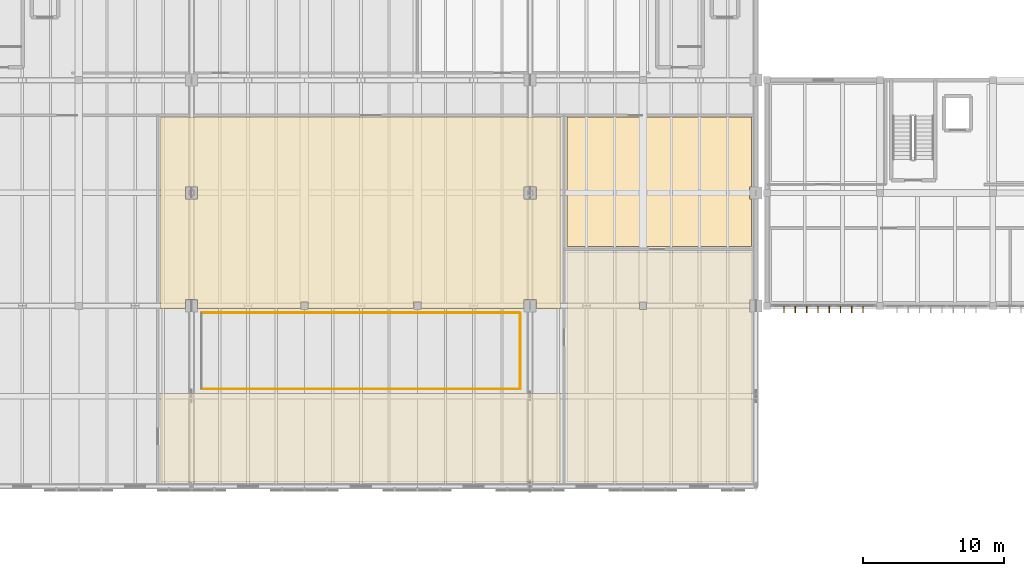
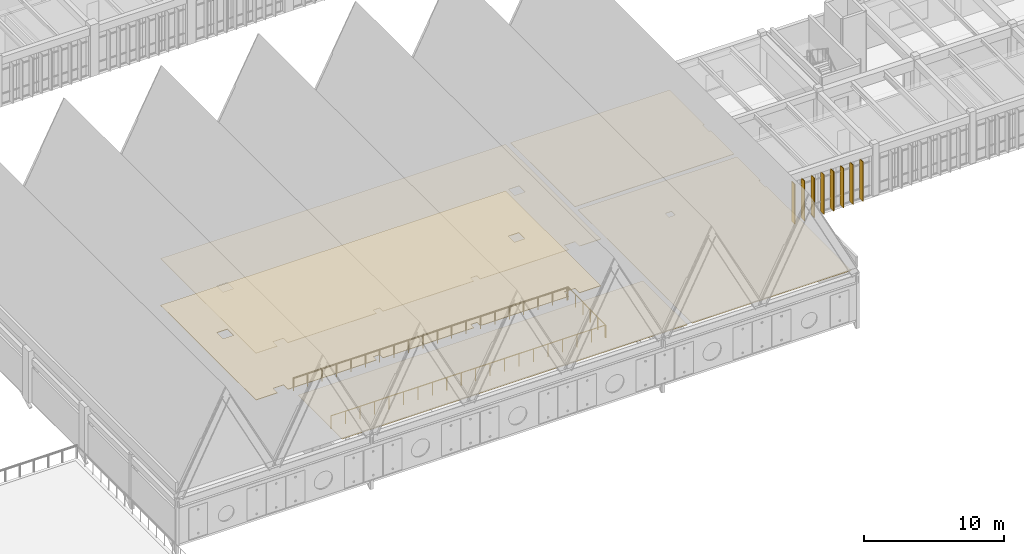
# One storey, part 63 of 72: 8 shading devices, 5 coverings, 3 railings.
"""IFC4 building model written with IfcOpenShell, lengths in metres."""

import ifcopenshell
import ifcopenshell.guid

model = None  # the IFC model being written
_history = None  # IfcOwnerHistory: only IFC2X3 demands one
_inside = {}  # id of a spatial element -> (the spatial element, [elements in it])
_under = {}  # id of a project, library or spatial element -> (it, [spatial elements below it])
_declared = {}  # id of a project -> (the project, [libraries it declares])
_typed = {}  # id of a type object -> (the type object, [elements of that type])
_made_of = {}  # id of a material, layer set ... -> (it, [elements and type objects made of it])


def new_model(schema):
    """Start an empty IFC model of exactly this schema.

    Asked for "IFC4X3", IfcOpenShell would pick the latest addendum, in which some entities
    have other attributes; the version numbers below select the first issue.
    IFC2X3 requires an IfcOwnerHistory on every rooted entity: one is made here for all.
    """
    global model, _history
    if schema == "IFC4X3":
        model = ifcopenshell.file(schema_version=(4, 3, 0, 0))
    else:
        model = ifcopenshell.file(schema=schema)
    _inside.clear()
    _under.clear()
    _declared.clear()
    _typed.clear()
    _made_of.clear()
    _history = None
    if model.schema == "IFC2X3":
        org = make("IfcOrganization", Name="unknown")
        user = make(
            "IfcPersonAndOrganization",
            ThePerson=make("IfcPerson", FamilyName="unknown"),
            TheOrganization=org,
        )
        app = make(
            "IfcApplication",
            ApplicationDeveloper=org,
            Version="unknown",
            ApplicationFullName="unknown",
            ApplicationIdentifier="unknown",
        )
        _history = make(
            "IfcOwnerHistory",
            OwningUser=user,
            OwningApplication=app,
            ChangeAction="ADDED",
            CreationDate=0,
        )
    return model


def make(cls, **values):
    """One entity of the class cls with the attributes given. An attribute that is None is left unset."""
    return model.create_entity(
        cls, **{name: value for name, value in values.items() if value is not None}
    )


def rooted(cls, **values):
    """An entity with a GlobalId (a new one), such as an element, a storey or a relation."""
    return make(cls, GlobalId=ifcopenshell.guid.new(), OwnerHistory=_history, **values)


def si_unit(unit_type, name, prefix=None):
    """IfcSIUnit, for example si_unit("LENGTHUNIT", "METRE", prefix="MILLI")."""
    return make("IfcSIUnit", UnitType=unit_type, Prefix=prefix, Name=name)


def assignment(units):
    """IfcUnitAssignment: the units of a project."""
    return None if units is None else make("IfcUnitAssignment", Units=units)


def point(xyz):
    """IfcCartesianPoint."""
    return None if xyz is None else make("IfcCartesianPoint", Coordinates=xyz)


def direction(xyz):
    """IfcDirection."""
    return None if xyz is None else make("IfcDirection", DirectionRatios=xyz)


def frame(location, z_axis=None, x_axis=None):
    """IfcAxis2Placement3D, a coordinate frame: its origin and axes. An axis left out is left unset."""
    return make(
        "IfcAxis2Placement3D",
        Location=point(location),
        Axis=direction(z_axis),
        RefDirection=direction(x_axis),
    )


def frame_2d(location, x_axis=None):
    """IfcAxis2Placement2D, a coordinate frame in the plane: its origin and x axis."""
    return make(
        "IfcAxis2Placement2D", Location=point(location), RefDirection=direction(x_axis)
    )


def origin():
    """The frame at (0, 0, 0) with its axes left unset."""
    return frame((0.0, 0.0, 0.0))


def origin_2d():
    """The frame at (0, 0) in the plane with its x axis left unset."""
    return frame_2d((0.0, 0.0))


def place(relative_to, where):
    """IfcLocalPlacement: puts the frame where relative to a parent placement (None: the world)."""
    return make(
        "IfcLocalPlacement", PlacementRelTo=relative_to, RelativePlacement=where
    )


def context(
    kind, dimensions, precision=None, world=None, true_north=None, identifier=None
):
    """IfcGeometricRepresentationContext, for example the 3D "Model" context."""
    return make(
        "IfcGeometricRepresentationContext",
        ContextIdentifier=identifier,
        ContextType=kind,
        CoordinateSpaceDimension=dimensions,
        Precision=precision,
        WorldCoordinateSystem=world,
        TrueNorth=true_north,
    )


def subcontext(parent, identifier, kind, view, scale=None):
    """IfcGeometricRepresentationSubContext, for example "Body" below "Model"."""
    return make(
        "IfcGeometricRepresentationSubContext",
        ContextIdentifier=identifier,
        ContextType=kind,
        ParentContext=parent,
        TargetScale=scale,
        TargetView=view,
    )


def project(units=None, contexts=None):
    """IfcProject with its units and contexts."""
    return rooted(
        "IfcProject",
        Name="project",
        RepresentationContexts=contexts,
        UnitsInContext=assignment(units),
    )


def spatial(cls, under=None, at=None, **own):
    """A site, building, storey or space (cls), placed at a placement, below another one or the project."""
    s = rooted(cls, ObjectPlacement=at, **own)
    if under is not None:
        _under.setdefault(under.id(), (under, []))[1].append(s)
    return s


def polyline(points):
    """IfcPolyline through the points."""
    return make("IfcPolyline", Points=[point(p) for p in points])


def profile(cls, at=None, kind="AREA", **sizes):
    """A parametric profile (cls). Its sizes go by their IFC names, for example OverallWidth=200.0."""
    return make(cls, ProfileType=kind, Position=at, **sizes)


def rectangle(**sizes):
    """IfcRectangleProfileDef."""
    return profile("IfcRectangleProfileDef", **sizes)


def circle(**sizes):
    """IfcCircleProfileDef."""
    return profile("IfcCircleProfileDef", **sizes)


def outline(outer, holes=None, kind="AREA"):
    """IfcArbitraryClosedProfileDef: a profile drawn as a closed curve; with holes, ...WithVoids."""
    if holes is None:
        return make("IfcArbitraryClosedProfileDef", ProfileType=kind, OuterCurve=outer)
    return make(
        "IfcArbitraryProfileDefWithVoids",
        ProfileType=kind,
        OuterCurve=outer,
        InnerCurves=holes,
    )


def extrude(swept, where, along, depth):
    """IfcExtrudedAreaSolid: the profile swept, set in the frame where, extruded along a direction by depth."""
    return make(
        "IfcExtrudedAreaSolid",
        SweptArea=swept,
        Position=where,
        ExtrudedDirection=direction(along),
        Depth=depth,
    )


def shape(context_of_items, identifier, shape_type, items):
    """IfcShapeRepresentation: the items that make up one representation, for example the "Body"."""
    return make(
        "IfcShapeRepresentation",
        ContextOfItems=context_of_items,
        RepresentationIdentifier=identifier,
        RepresentationType=shape_type,
        Items=items,
    )


def material(Name=None, Category=None):
    """IfcMaterial."""
    return make("IfcMaterial", Name=Name, Category=Category)


def layer(
    of_material, thickness, ventilated=None, Name=None, Category=None, Priority=None
):
    """IfcMaterialLayer: one layer of a wall or slab, of a material (None: an air gap)."""
    return make(
        "IfcMaterialLayer",
        Material=of_material,
        LayerThickness=thickness,
        IsVentilated=ventilated,
        Name=Name,
        Category=Category,
        Priority=Priority,
    )


def layer_set(layers, Name=None):
    """IfcMaterialLayerSet."""
    return make("IfcMaterialLayerSet", MaterialLayers=layers, LayerSetName=Name)


def made_of(thing, what):
    """Note that an element or type object is made of a material, layer set ...; save() writes the relation."""
    if what is not None:
        _made_of.setdefault(what.id(), (what, []))[1].append(thing)
    return thing


def type_object(cls, material=None, **own):
    """A type object (cls), such as IfcWallType, which elements share."""
    return made_of(rooted(cls, **own), material)


def element(
    cls,
    number,
    at=None,
    inside=None,
    cuts=None,
    type_object=None,
    material=None,
    context=None,
    identifier="Body",
    shape_type=None,
    held_by="IfcProductDefinitionShape",
    body=None,
    shapes=None,
    **own,
):
    """One element of the class cls, such as IfcWall. Its Tag is "e" and its number.

    at: its placement. inside: the storey or other place that contains it. cuts: it is an
    opening in that element (IfcRelVoidsElement). A single representation is given by context,
    identifier, shape_type and body (its items); several are given by shapes. held_by: the class
    of the entity that holds the representations. save() writes the other relations.
    """
    e = rooted(cls, Tag="e%d" % number, ObjectPlacement=at, **own)
    if body is not None:
        shapes = [shape(context, identifier, shape_type, body)]
    if shapes is not None:
        e.Representation = make(held_by, Representations=shapes)
    if inside is not None:
        _inside.setdefault(inside.id(), (inside, []))[1].append(e)
    if cuts is not None:
        rooted(
            "IfcRelVoidsElement", RelatingBuildingElement=cuts, RelatedOpeningElement=e
        )
    if type_object is not None:
        _typed.setdefault(type_object.id(), (type_object, []))[1].append(e)
    return made_of(e, material)


def aggregate(whole, parts):
    """IfcRelAggregates: a whole, such as a stair, and the parts it consists of."""
    return rooted("IfcRelAggregates", RelatingObject=whole, RelatedObjects=parts)


def save(model, path):
    """Write the relations noted so far, then the file.

    IfcRelAggregates (storeys below a building ...), IfcRelContainedInSpatialStructure (elements
    in a storey), IfcRelDefinesByType, IfcRelAssociatesMaterial and IfcRelDeclares: one each for
    every whole, place, type object, material and project.
    """
    for whole, parts in _under.values():
        aggregate(whole, parts)
    for where, things in _inside.values():
        rooted(
            "IfcRelContainedInSpatialStructure",
            RelatedElements=things,
            RelatingStructure=where,
        )
    for kind, things in _typed.values():
        rooted("IfcRelDefinesByType", RelatedObjects=things, RelatingType=kind)
    for what, things in _made_of.values():
        rooted("IfcRelAssociatesMaterial", RelatedObjects=things, RelatingMaterial=what)
    for by, libraries in _declared.values():
        rooted("IfcRelDeclares", RelatingContext=by, RelatedDefinitions=libraries)
    model.write(path)


model = new_model("IFC4")

# Units and contexts
model_context = context("Model", 3, precision=1e-05, world=origin(), true_north=direction((0.0, 1.0)))
body_context = subcontext(model_context, "Body", "Model", "MODEL_VIEW")
ifc_project = project(units=[si_unit("LENGTHUNIT", "METRE"), si_unit("AREAUNIT", "SQUARE_METRE"), si_unit("VOLUMEUNIT", "CUBIC_METRE"), si_unit("PLANEANGLEUNIT", "RADIAN"), si_unit("MASSUNIT", "GRAM", prefix="KILO")], contexts=[model_context])

# Site, building, storey
site_placement = place(None, origin())
site = spatial("IfcSite", under=ifc_project, at=site_placement, CompositionType="ELEMENT")
building_placement = place(site_placement, origin())
building = spatial("IfcBuilding", under=site, at=building_placement, Name="Tlaxcora Railside Police Headquarters", CompositionType="ELEMENT")
storey_placement = place(building_placement, frame((0.0, 0.0, 13.5)))
storey = spatial("IfcBuildingStorey", under=building, at=storey_placement, Name="L03", CompositionType="ELEMENT", Elevation=13.5)

# Coverings
ifc_material_1 = material(Name="Mineral-fibre acoustic ceiling tile")
ifc_layer_1 = layer(ifc_material_1, 0.034912109375, Name="Mineral-fibre acoustic ceiling tile")
ifc_layer_set_1 = layer_set([ifc_layer_1], Name="Mineral-fibre acoustic ceiling tile")
covering_type_1 = type_object("IfcCoveringType", Name="Acoustic Suspended Ceiling CLG-01", PredefinedType="CEILING", material=ifc_layer_set_1)
covering_1_placement = place(storey_placement, frame((0.0, 0.0, 4.06494140625)))
element("IfcCovering", 1, at=covering_1_placement, inside=storey, type_object=covering_type_1, Name="Situational Awareness Viewing Gallery suspended ceiling", PredefinedType="CEILING", context=body_context, shape_type="SweptSolid", body=[
    extrude(outline(polyline([(69.739990234375, 36.260009765625), (70.260009765625, 36.260009765625), (70.260009765625, 35.800048828125), (77.739990234375, 35.800048828125), (77.739990234375, 36.260009765625), (78.260009765625, 36.260009765625), (78.260009765625, 35.800048828125), (85.56494140625, 35.800048828125), (85.56494140625, 36.43505859375), (86.43505859375, 36.43505859375), (86.43505859375, 35.800048828125), (88.199951171875, 35.800048828125), (88.199951171875, 49.39990234375), (59.800048828125, 49.39990234375), (59.800048828125, 35.800048828125), (61.56494140625, 35.800048828125), (61.56494140625, 36.43505859375), (62.43505859375, 36.43505859375), (62.43505859375, 35.800048828125), (69.739990234375, 35.800048828125), (69.739990234375, 36.260009765625)]), holes=[polyline([(62.43505859375, 43.56494140625), (61.56494140625, 43.56494140625), (61.56494140625, 44.43505859375), (62.43505859375, 44.43505859375), (62.43505859375, 43.56494140625)]), polyline([(86.43505859375, 43.56494140625), (85.56494140625, 43.56494140625), (85.56494140625, 44.43505859375), (86.43505859375, 44.43505859375), (86.43505859375, 43.56494140625)])]), origin(), (0.0, 0.0, 1.0), 0.03515625),
])
covering_2_placement = place(storey_placement, frame((0.0, 0.0, 4.06494140625)))
element("IfcCovering", 2, at=covering_2_placement, inside=storey, type_object=covering_type_1, Name="Civil Protection Inter-Agency Liaison Room suspended ceiling", PredefinedType="CEILING", context=body_context, shape_type="SweptSolid", body=[
    extrude(outline(polyline([(59.800048828125, 23.5), (88.199951171875, 23.5), (88.199951171875, 29.800048828125), (59.800048828125, 29.800048828125), (59.800048828125, 23.5)])), origin(), (0.0, 0.0, 1.0), 0.03515625),
])
covering_3_placement = place(storey_placement, frame((0.0, 0.0, 4.06494140625)))
element("IfcCovering", 3, at=covering_3_placement, inside=storey, type_object=covering_type_1, Name="Drone Overwatch and Aerial Telemetry Room suspended ceiling", PredefinedType="CEILING", context=body_context, shape_type="SweptSolid", body=[
    extrude(outline(polyline([(101.699951171875, 39.800048828125), (88.60009765625, 39.800048828125), (88.60009765625, 23.5), (101.699951171875, 23.5), (101.699951171875, 35.56494140625), (101.56494140625, 35.56494140625), (101.56494140625, 36.43505859375), (101.699951171875, 36.43505859375), (101.699951171875, 39.800048828125)]), holes=[polyline([(94.260009765625, 36.260009765625), (94.260009765625, 35.739990234375), (93.739990234375, 35.739990234375), (93.739990234375, 36.260009765625), (94.260009765625, 36.260009765625)])]), origin(), (0.0, 0.0, 1.0), 0.03515625),
])
covering_4_placement = place(storey_placement, frame((0.0, 0.0, 4.06494140625)))
element("IfcCovering", 4, at=covering_4_placement, inside=storey, type_object=covering_type_1, Name="Accessible WC and Duty Rest Suite L03 suspended ceiling", PredefinedType="CEILING", context=body_context, shape_type="SweptSolid", body=[
    extrude(outline(polyline([(88.60009765625, 49.39990234375), (88.60009765625, 40.199951171875), (101.699951171875, 40.199951171875), (101.699951171875, 43.56494140625), (101.56494140625, 43.56494140625), (101.56494140625, 44.43505859375), (101.699951171875, 44.43505859375), (101.699951171875, 49.39990234375), (88.60009765625, 49.39990234375)])), origin(), (0.0, 0.0, 1.0), 0.03515625),
])

# Shading devices
ifc_material_2 = material(Name="Anodised aluminium framing", Category="aluminium")
ifc_layer_2 = layer(ifc_material_2, 0.054931640625, Name="Anodised aluminium framing")
ifc_layer_set_2 = layer_set([ifc_layer_2], Name="Anodised aluminium framing")
shading_device_type = type_object("IfcShadingDeviceType", Name="Solar Control Fin SF-01", PredefinedType="JALOUSIE", material=ifc_layer_set_2)
for number, where, z_axis, x_axis, name in (
    (5, (104.0, 35.739990234375, 0.0400390625), (0.0, 0.0, 1.0), (0.0, -1.0, 0.0), "Vertical solar fin 1024"),
    (6, (104.800048828125, 35.739990234375, 0.0400390625), (0.0, 0.0, 1.0), (0.0, -1.0, 0.0), "Vertical solar fin 1025"),
    (7, (105.60009765625, 35.739990234375, 0.0400390625), (0.0, 0.0, 1.0), (0.0, -1.0, 0.0), "Vertical solar fin 1026"),
    (8, (106.39990234375, 35.739990234375, 0.0400390625), (0.0, 0.0, 1.0), (0.0, -1.0, 0.0), "Vertical solar fin 1027"),
    (9, (107.199951171875, 35.739990234375, 0.0400390625), (0.0, 0.0, 1.0), (0.0, -1.0, 0.0), "Vertical solar fin 1028"),
    (10, (108.0, 35.739990234375, 0.0400390625), (0.0, 0.0, 1.0), (0.0, -1.0, 0.0), "Vertical solar fin 1029"),
    (11, (108.800048828125, 35.739990234375, 0.0400390625), (0.0, 0.0, 1.0), (0.0, -1.0, 0.0), "Vertical solar fin 1030"),
    (12, (109.60009765625, 35.739990234375, 0.0400390625), (0.0, 0.0, 1.0), (0.0, -1.0, 0.0), "Vertical solar fin 1031"),
):
    element("IfcShadingDevice", number, at=place(storey_placement, frame(where, z_axis=z_axis, x_axis=x_axis)), inside=storey, type_object=shading_device_type, Name=name, PredefinedType="JALOUSIE", context=body_context, shape_type="SweptSolid", body=[
        extrude(rectangle(XDim=0.47998046875, YDim=0.054931640625, at=origin_2d()), origin(), (0.0, 0.0, 1.0), 3.4599609375),
    ])

# Covering
ifc_material_3 = material(Name="Heavy-duty resin and raised-access technical flooring")
ifc_layer_3 = layer(ifc_material_3, 0.0400390625, Name="Heavy-duty resin and raised-access technical flooring")
ifc_layer_set_3 = layer_set([ifc_layer_3], Name="Heavy-duty resin and raised-access technical flooring")
covering_type_2 = type_object("IfcCoveringType", Name="Technical Raised Access Flooring FLR-01", PredefinedType="FLOORING", material=ifc_layer_set_3)
covering_5_placement = place(storey_placement, origin())
element("IfcCovering", 13, at=covering_5_placement, inside=storey, type_object=covering_type_2, Name="Situational Awareness Viewing Gallery technical floor finish", PredefinedType="FLOORING", context=body_context, shape_type="SweptSolid", body=[
    extrude(outline(polyline([(69.739990234375, 36.260009765625), (70.260009765625, 36.260009765625), (70.260009765625, 35.800048828125), (77.739990234375, 35.800048828125), (77.739990234375, 36.260009765625), (78.260009765625, 36.260009765625), (78.260009765625, 35.800048828125), (85.56494140625, 35.800048828125), (85.56494140625, 36.43505859375), (86.43505859375, 36.43505859375), (86.43505859375, 35.800048828125), (88.199951171875, 35.800048828125), (88.199951171875, 49.39990234375), (59.800048828125, 49.39990234375), (59.800048828125, 35.800048828125), (61.56494140625, 35.800048828125), (61.56494140625, 36.43505859375), (62.43505859375, 36.43505859375), (62.43505859375, 35.800048828125), (69.739990234375, 35.800048828125), (69.739990234375, 36.260009765625)]), holes=[polyline([(62.43505859375, 43.56494140625), (61.56494140625, 43.56494140625), (61.56494140625, 44.43505859375), (62.43505859375, 44.43505859375), (62.43505859375, 43.56494140625)]), polyline([(86.43505859375, 43.56494140625), (85.56494140625, 43.56494140625), (85.56494140625, 44.43505859375), (86.43505859375, 44.43505859375), (86.43505859375, 43.56494140625)])]), origin(), (0.0, 0.0, 1.0), 0.0400390625),
])

# Railings
ifc_material_4 = material(Name="Steel ASTM A992 Grade 50", Category="steel")
railing_type = type_object("IfcRailingType", Name="Terrace Perimeter Guard Balustrade GR-01", PredefinedType="BALUSTRADE", material=ifc_material_4)
railing_1_placement = place(storey_placement, frame((62.699951171875, 30.10009765625, 0.0)))
element("IfcRailing", 14, at=railing_1_placement, inside=storey, type_object=railing_type, Name="Atrium and well guard L03-05", PredefinedType="BALUSTRADE", context=body_context, shape_type="SweptSolid", body=[
    extrude(circle(Radius=0.02392578125, at=origin_2d()), frame((0.0, 0.0, 1.09619140625), z_axis=(1.0, 0.0, 0.0), x_axis=(0.0, 1.0, 0.0)), (0.0, 0.0, 1.0), 22.60009765625),
    extrude(circle(Radius=0.02099609375, at=origin_2d()), origin(), (0.0, 0.0, 1.0), 1.072021484375),
    extrude(circle(Radius=0.02099609375, at=origin_2d()), frame((1.189453125, 0.0, 0.0)), (0.0, 0.0, 1.0), 1.072021484375),
    extrude(circle(Radius=0.02099609375, at=origin_2d()), frame((2.37890625, 0.0, 0.0)), (0.0, 0.0, 1.0), 1.072021484375),
    extrude(circle(Radius=0.02099609375, at=origin_2d()), frame((3.568359375, 0.0, 0.0)), (0.0, 0.0, 1.0), 1.072021484375),
    extrude(circle(Radius=0.02099609375, at=origin_2d()), frame((4.7578125, 0.0, 0.0)), (0.0, 0.0, 1.0), 1.072021484375),
    extrude(circle(Radius=0.02099609375, at=origin_2d()), frame((5.947509765625, 0.0, 0.0)), (0.0, 0.0, 1.0), 1.072021484375),
    extrude(circle(Radius=0.02099609375, at=origin_2d()), frame((7.136962890625, 0.0, 0.0)), (0.0, 0.0, 1.0), 1.072021484375),
    extrude(circle(Radius=0.02099609375, at=origin_2d()), frame((8.326416015625, 0.0, 0.0)), (0.0, 0.0, 1.0), 1.072021484375),
    extrude(circle(Radius=0.02099609375, at=origin_2d()), frame((9.515869140625, 0.0, 0.0)), (0.0, 0.0, 1.0), 1.072021484375),
    extrude(circle(Radius=0.02099609375, at=origin_2d()), frame((10.705322265625, 0.0, 0.0)), (0.0, 0.0, 1.0), 1.072021484375),
    extrude(circle(Radius=0.02099609375, at=origin_2d()), frame((11.894775390625, 0.0, 0.0)), (0.0, 0.0, 1.0), 1.072021484375),
    extrude(circle(Radius=0.02099609375, at=origin_2d()), frame((13.084228515625, 0.0, 0.0)), (0.0, 0.0, 1.0), 1.072021484375),
    extrude(circle(Radius=0.02099609375, at=origin_2d()), frame((14.273681640625, 0.0, 0.0)), (0.0, 0.0, 1.0), 1.072021484375),
    extrude(circle(Radius=0.02099609375, at=origin_2d()), frame((15.463134765625, 0.0, 0.0)), (0.0, 0.0, 1.0), 1.072021484375),
    extrude(circle(Radius=0.02099609375, at=origin_2d()), frame((16.652587890625, 0.0, 0.0)), (0.0, 0.0, 1.0), 1.072021484375),
    extrude(circle(Radius=0.02099609375, at=origin_2d()), frame((17.84228515625, 0.0, 0.0)), (0.0, 0.0, 1.0), 1.072021484375),
    extrude(circle(Radius=0.02099609375, at=origin_2d()), frame((19.03173828125, 0.0, 0.0)), (0.0, 0.0, 1.0), 1.072021484375),
    extrude(circle(Radius=0.02099609375, at=origin_2d()), frame((20.22119140625, 0.0, 0.0)), (0.0, 0.0, 1.0), 1.072021484375),
    extrude(circle(Radius=0.02099609375, at=origin_2d()), frame((21.41064453125, 0.0, 0.0)), (0.0, 0.0, 1.0), 1.072021484375),
    extrude(circle(Radius=0.02099609375, at=origin_2d()), frame((22.60009765625, 0.0, 0.0)), (0.0, 0.0, 1.0), 1.072021484375),
])
railing_2_placement = place(storey_placement, frame((85.300048828125, 30.179931640625, 0.0)))
element("IfcRailing", 15, at=railing_2_placement, inside=storey, type_object=railing_type, Name="Atrium and well guard L03-06", PredefinedType="BALUSTRADE", context=body_context, shape_type="SweptSolid", body=[
    extrude(circle(Radius=0.02392578125, at=origin_2d()), frame((0.0, 0.0, 1.09619140625), z_axis=(0.0, 1.0, 0.0), x_axis=(-1.0, 0.0, 0.0)), (0.0, 0.0, 1.0), 5.320068359375),
    extrude(circle(Radius=0.02099609375, at=origin_2d()), origin(), (0.0, 0.0, 1.0), 1.072021484375),
    extrude(circle(Radius=0.02099609375, at=origin_2d()), frame((0.0, 1.06396484375, 0.0)), (0.0, 0.0, 1.0), 1.072021484375),
    extrude(circle(Radius=0.02099609375, at=origin_2d()), frame((0.0, 2.1279296875, 0.0)), (0.0, 0.0, 1.0), 1.072021484375),
    extrude(circle(Radius=0.02099609375, at=origin_2d()), frame((0.0, 3.192138671875, 0.0)), (0.0, 0.0, 1.0), 1.072021484375),
    extrude(circle(Radius=0.02099609375, at=origin_2d()), frame((0.0, 4.256103515625, 0.0)), (0.0, 0.0, 1.0), 1.072021484375),
    extrude(circle(Radius=0.02099609375, at=origin_2d()), frame((0.0, 5.320068359375, 0.0)), (0.0, 0.0, 1.0), 1.072021484375),
])
railing_3_placement = place(storey_placement, frame((85.219970703125, 35.5, 0.0)))
element("IfcRailing", 16, at=railing_3_placement, inside=storey, type_object=railing_type, Name="Atrium and well guard L03-07", PredefinedType="BALUSTRADE", context=body_context, shape_type="SweptSolid", body=[
    extrude(circle(Radius=0.02392578125, at=origin_2d()), frame((0.0, 0.0, 1.09619140625), z_axis=(-1.0, 0.0, 0.0), x_axis=(0.0, -1.0, 0.0)), (0.0, 0.0, 1.0), 22.52001953125),
    extrude(circle(Radius=0.02099609375, at=origin_2d()), origin(), (0.0, 0.0, 1.0), 1.072021484375),
    extrude(circle(Radius=0.02099609375, at=origin_2d()), frame((-1.185302734375, 0.0, 0.0)), (0.0, 0.0, 1.0), 1.072021484375),
    extrude(circle(Radius=0.02099609375, at=origin_2d()), frame((-2.37060546875, 0.0, 0.0)), (0.0, 0.0, 1.0), 1.072021484375),
    extrude(circle(Radius=0.02099609375, at=origin_2d()), frame((-3.555908203125, 0.0, 0.0)), (0.0, 0.0, 1.0), 1.072021484375),
    extrude(circle(Radius=0.02099609375, at=origin_2d()), frame((-4.740966796875, 0.0, 0.0)), (0.0, 0.0, 1.0), 1.072021484375),
    extrude(circle(Radius=0.02099609375, at=origin_2d()), frame((-5.92626953125, 0.0, 0.0)), (0.0, 0.0, 1.0), 1.072021484375),
    extrude(circle(Radius=0.02099609375, at=origin_2d()), frame((-7.111572265625, 0.0, 0.0)), (0.0, 0.0, 1.0), 1.072021484375),
    extrude(circle(Radius=0.02099609375, at=origin_2d()), frame((-8.296875, 0.0, 0.0)), (0.0, 0.0, 1.0), 1.072021484375),
    extrude(circle(Radius=0.02099609375, at=origin_2d()), frame((-9.482177734375, 0.0, 0.0)), (0.0, 0.0, 1.0), 1.072021484375),
    extrude(circle(Radius=0.02099609375, at=origin_2d()), frame((-10.66748046875, 0.0, 0.0)), (0.0, 0.0, 1.0), 1.072021484375),
    extrude(circle(Radius=0.02099609375, at=origin_2d()), frame((-11.8525390625, 0.0, 0.0)), (0.0, 0.0, 1.0), 1.072021484375),
    extrude(circle(Radius=0.02099609375, at=origin_2d()), frame((-13.037841796875, 0.0, 0.0)), (0.0, 0.0, 1.0), 1.072021484375),
    extrude(circle(Radius=0.02099609375, at=origin_2d()), frame((-14.22314453125, 0.0, 0.0)), (0.0, 0.0, 1.0), 1.072021484375),
    extrude(circle(Radius=0.02099609375, at=origin_2d()), frame((-15.408447265625, 0.0, 0.0)), (0.0, 0.0, 1.0), 1.072021484375),
    extrude(circle(Radius=0.02099609375, at=origin_2d()), frame((-16.59375, 0.0, 0.0)), (0.0, 0.0, 1.0), 1.072021484375),
    extrude(circle(Radius=0.02099609375, at=origin_2d()), frame((-17.779052734375, 0.0, 0.0)), (0.0, 0.0, 1.0), 1.072021484375),
    extrude(circle(Radius=0.02099609375, at=origin_2d()), frame((-18.964111328125, 0.0, 0.0)), (0.0, 0.0, 1.0), 1.072021484375),
    extrude(circle(Radius=0.02099609375, at=origin_2d()), frame((-20.1494140625, 0.0, 0.0)), (0.0, 0.0, 1.0), 1.072021484375),
    extrude(circle(Radius=0.02099609375, at=origin_2d()), frame((-21.334716796875, 0.0, 0.0)), (0.0, 0.0, 1.0), 1.072021484375),
    extrude(circle(Radius=0.02099609375, at=origin_2d()), frame((-22.52001953125, 0.0, 0.0)), (0.0, 0.0, 1.0), 1.072021484375),
])

save(model, "model.ifc")
